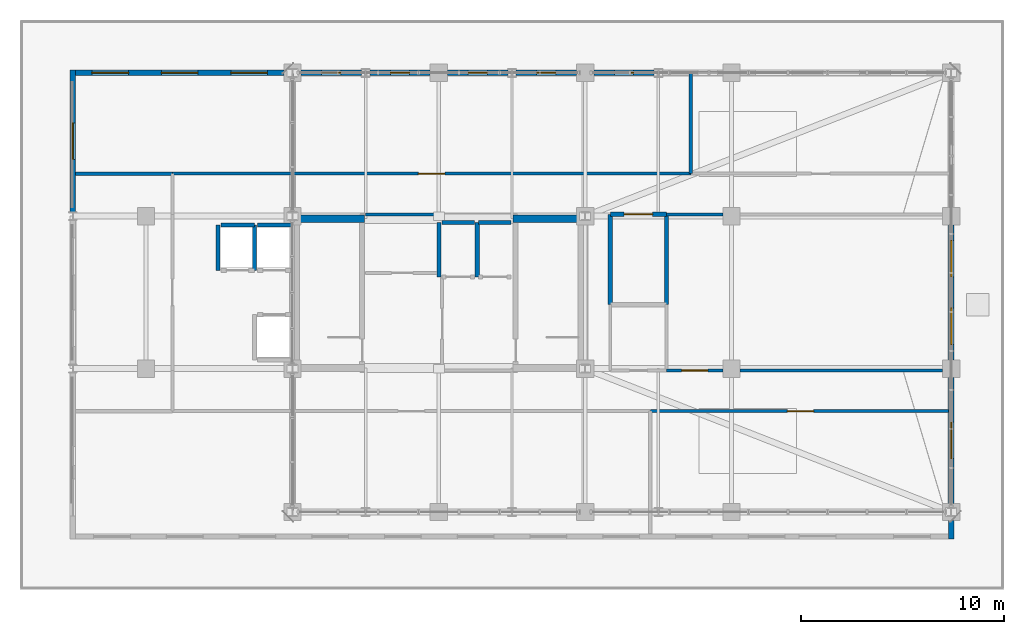
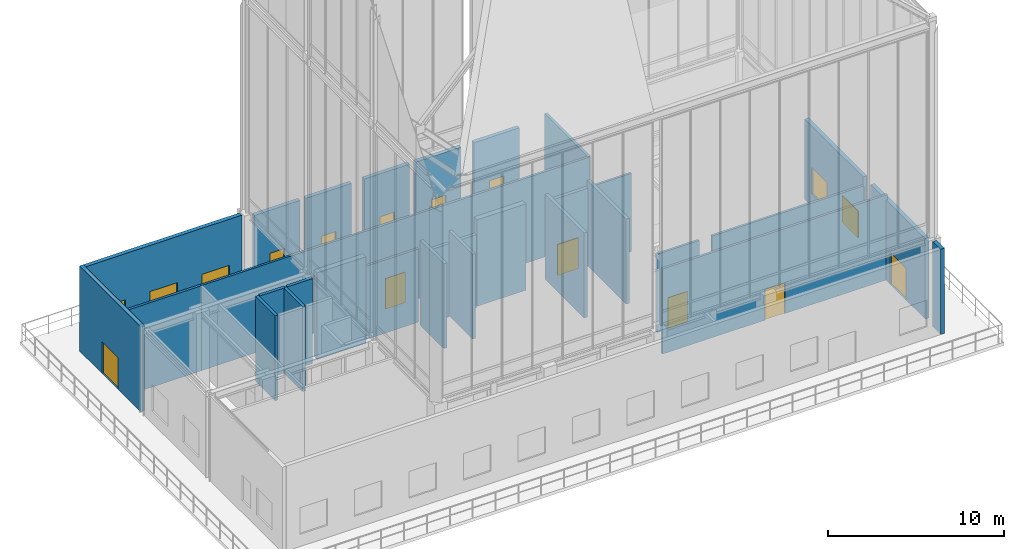
# One storey, part 47 of 49: 31 walls, 10 windows, 6 doors, 16 openings.
"""IFC4 building model written with IfcOpenShell, lengths in metres."""

from ifc_helpers import new_model, si_unit, direction, frame, frame_2d, origin, place, context, subcontext, project, spatial, rectangle, extrude, material, layer, layer_set, type_object, element, fill, save


model = new_model("IFC4")

# Units and contexts
model_context = context("Model", 3, precision=1e-05, world=origin(), true_north=direction((0.0, 1.0)))
body_context = subcontext(model_context, "Body", "Model", "MODEL_VIEW")
ifc_project = project(units=[si_unit("LENGTHUNIT", "METRE"), si_unit("AREAUNIT", "SQUARE_METRE"), si_unit("VOLUMEUNIT", "CUBIC_METRE"), si_unit("PLANEANGLEUNIT", "RADIAN"), si_unit("MASSUNIT", "GRAM", prefix="KILO")], contexts=[model_context])

# Site, building, storey
site_placement = place(None, origin())
site = spatial("IfcSite", under=ifc_project, at=site_placement, CompositionType="ELEMENT")
building_placement = place(site_placement, origin())
building = spatial("IfcBuilding", under=site, at=building_placement, Name="Kaliganga Portal Commons", CompositionType="ELEMENT")
storey_placement = place(building_placement, frame((0.0, 0.0, 298.0)))
storey = spatial("IfcBuildingStorey", under=building, at=storey_placement, Name="L77", CompositionType="ELEMENT", Elevation=298.0)

# Walls
ifc_material_1 = material(Name="Concrete C50/60", Category="concrete")
ifc_layer_1 = layer(ifc_material_1, 0.35009765625)
ifc_layer_set_1 = layer_set([ifc_layer_1], Name="Concrete C50/60")
wall_type_1 = type_object("IfcWallType", Name="WL-CORE-350", PredefinedType="SHEAR", material=ifc_layer_set_1)
for number, where, z_axis, x_axis, name in (
    (1, (14.75, 36.02490234375, 0.0), (0.0, 0.0, 1.0), (1.0, 0.0, 0.0), "Core A N-West Shear Wall L77"),
    (2, (25.25, 36.02490234375, 0.0), (0.0, 0.0, 1.0), (1.0, 0.0, 0.0), "Core A N-East Shear Wall L77"),
):
    element("IfcWall", number, at=place(storey_placement, frame(where, z_axis=z_axis, x_axis=x_axis)), inside=storey, type_object=wall_type_1, Name=name, PredefinedType="SHEAR", context=body_context, shape_type="SweptSolid", body=[
        extrude(rectangle(XDim=3.199951171875, YDim=0.35009765625, at=frame_2d((1.60009765625, 0.0))), origin(), (0.0, 0.0, 1.0), 6.0),
    ])
ifc_material_2 = material(Name="Insulated Aluminium-Clad Spandrel Assembly", Category="aluminium")
ifc_layer_2 = layer(ifc_material_2, 0.260009765625)
ifc_layer_set_2 = layer_set([ifc_layer_2], Name="Insulated Aluminium-Clad Spandrel Assembly")
wall_type_2 = type_object("IfcWallType", Name="WL-EXT-SPAND-260", PredefinedType="STANDARD", material=ifc_layer_set_2)
wall_1_placement = place(storey_placement, frame((46.800048828125, 21.174072265625, 0.0), z_axis=(0.0, 0.0, 1.0), x_axis=(0.0, -1.0, 0.0)))
element("IfcWall", 3, at=wall_1_placement, inside=storey, type_object=wall_type_2, Name="Exterior Envelope Wall L77 P1-E01-S1", PredefinedType="STANDARD", context=body_context, shape_type="SweptSolid", body=[
    extrude(rectangle(XDim=0.904052734375, YDim=0.260009765625, at=frame_2d((0.4521484375, 0.0))), origin(), (0.0, 0.0, 1.0), 5.89990234375),
])

# Wall, opening, door
wall_2_placement = place(storey_placement, frame((46.800048828125, 28.22412109375, 0.0), z_axis=(0.0, 0.0, 1.0), x_axis=(0.0, -1.0, 0.0)))
wall_2 = element("IfcWall", 4, at=wall_2_placement, inside=storey, type_object=wall_type_2, Name="Exterior Envelope Wall L77 P1-E01-S2", PredefinedType="STANDARD", context=body_context, shape_type="SweptSolid", body=[
    extrude(rectangle(XDim=6.1982421875, YDim=0.260009765625, at=frame_2d((3.09912109375, 0.0))), origin(), (0.0, 0.0, 1.0), 5.580078125),
])
opening_1_placement = place(wall_2_placement, frame((2.198974609375, 0.0, 0.0)))
opening_1 = element("IfcOpeningElement", 5, at=opening_1_placement, cuts=wall_2, Name="Opening TD-01", PredefinedType="OPENING", context=body_context, shape_type="SweptSolid", body=[
    extrude(rectangle(XDim=1.800048828125, YDim=2.199951171875, at=frame_2d((0.89990234375, 1.10009765625))), frame((0.0, 0.14013671875, 0.0), z_axis=(0.0, -1.0, 0.0), x_axis=(1.0, 0.0, 0.0)), (0.0, 0.0, 1.0), 0.280029296875),
])
ifc_material_3 = material(Name="Anodized Aluminium and Laminated Safety Glass", Category="aluminium")
door_type_1 = type_object("IfcDoorType", Name="DR-TERR-1800", OperationType="DOUBLE_DOOR_SINGLE_SWING", PredefinedType="DOOR", material=ifc_material_3)
door_1_placement = place(opening_1_placement, origin())
door_1 = element("IfcDoor", 6, at=door_1_placement, inside=storey, type_object=door_type_1, Name="Lookout Deck Access Door OD-3", OperationType="DOUBLE_DOOR_SINGLE_SWING", OverallHeight=2.199951171875, OverallWidth=1.800048828125, PredefinedType="DOOR", context=body_context, shape_type="SweptSolid", body=[
    extrude(rectangle(XDim=1.800048828125, YDim=2.199951171875, at=frame_2d((0.89990234375, 1.10009765625))), frame((0.0, 0.02490234375, 0.0), z_axis=(0.0, -1.0, 0.0), x_axis=(1.0, 0.0, 0.0)), (0.0, 0.0, 1.0), 0.050048828125),
])
fill(opening_1, door_1)

# Wall, openings, windows
wall_3_placement = place(storey_placement, frame((46.800048828125, 35.72412109375, 0.0), z_axis=(0.0, 0.0, 1.0), x_axis=(0.0, -1.0, 0.0)))
wall_3 = element("IfcWall", 7, at=wall_3_placement, inside=storey, type_object=wall_type_2, Name="Exterior Envelope Wall L77 P1-E01-S3", PredefinedType="STANDARD", context=body_context, shape_type="SweptSolid", body=[
    extrude(rectangle(XDim=6.648193359375, YDim=0.260009765625, at=frame_2d((3.32421875, 0.0))), origin(), (0.0, 0.0, 1.0), 5.580078125),
])
opening_2_placement = place(wall_3_placement, frame((0.761962890625, 0.0, 0.85009765625)))
opening_2 = element("IfcOpeningElement", 8, at=opening_2_placement, cuts=wall_3, Name="Opening W-01", PredefinedType="OPENING", context=body_context, shape_type="SweptSolid", body=[
    extrude(rectangle(XDim=1.800048828125, YDim=1.85009765625, at=frame_2d((0.89990234375, 0.925048828125))), frame((0.0, 0.14013671875, 0.0), z_axis=(0.0, -1.0, 0.0), x_axis=(1.0, 0.0, 0.0)), (0.0, 0.0, 1.0), 0.280029296875),
])
opening_3_placement = place(wall_3_placement, frame((4.0859375, 0.0, 0.85009765625)))
opening_3 = element("IfcOpeningElement", 9, at=opening_3_placement, cuts=wall_3, Name="Opening W-01", PredefinedType="OPENING", context=body_context, shape_type="SweptSolid", body=[
    extrude(rectangle(XDim=1.800048828125, YDim=1.85009765625, at=frame_2d((0.89990234375, 0.925048828125))), frame((0.0, 0.14013671875, 0.0), z_axis=(0.0, -1.0, 0.0), x_axis=(1.0, 0.0, 0.0)), (0.0, 0.0, 1.0), 0.280029296875),
])
ifc_material_4 = material(Name="Thermally Broken Aluminium and Low-E Double Glazing", Category="aluminium")
window_type_1 = type_object("IfcWindowType", Name="WIN-STD-1800", PartitioningType="DOUBLE_PANEL_VERTICAL", PredefinedType="WINDOW", material=ifc_material_4)
window_1_placement = place(opening_2_placement, origin())
window_1 = element("IfcWindow", 10, at=window_1_placement, inside=storey, type_object=window_type_1, Name="Facade Window L77-P1E01S3-00", OverallHeight=1.85009765625, OverallWidth=1.800048828125, PartitioningType="SINGLE_PANEL", PredefinedType="WINDOW", context=body_context, shape_type="SweptSolid", body=[
    extrude(rectangle(XDim=1.800048828125, YDim=1.85009765625, at=frame_2d((0.89990234375, 0.925048828125))), frame((0.0, 0.030029296875, 0.0), z_axis=(0.0, -1.0, 0.0), x_axis=(1.0, 0.0, 0.0)), (0.0, 0.0, 1.0), 0.06005859375),
])
fill(opening_2, window_1)
window_2_placement = place(opening_3_placement, origin())
window_2 = element("IfcWindow", 11, at=window_2_placement, inside=storey, type_object=window_type_1, Name="Facade Window L77-P1E01S3-01", OverallHeight=1.85009765625, OverallWidth=1.800048828125, PartitioningType="SINGLE_PANEL", PredefinedType="WINDOW", context=body_context, shape_type="SweptSolid", body=[
    extrude(rectangle(XDim=1.800048828125, YDim=1.85009765625, at=frame_2d((0.89990234375, 0.925048828125))), frame((0.0, 0.030029296875, 0.0), z_axis=(0.0, -1.0, 0.0), x_axis=(1.0, 0.0, 0.0)), (0.0, 0.0, 1.0), 0.06005859375),
])
fill(opening_3, window_2)

# Wall, opening, window
wall_4_placement = place(storey_placement, frame((29.22607421875, 43.199951171875, 0.0), z_axis=(0.0, 0.0, 1.0), x_axis=(1.0, 0.0, 0.0)))
wall_4 = element("IfcWall", 12, at=wall_4_placement, inside=storey, type_object=wall_type_2, Name="Exterior Envelope Wall L77 P1-E02-S3", PredefinedType="STANDARD", context=body_context, shape_type="SweptSolid", body=[
    extrude(rectangle(XDim=2.969970703125, YDim=0.260009765625, at=frame_2d((1.48486328125, 0.0))), origin(), (0.0, 0.0, 1.0), 5.580078125),
])
opening_4_placement = place(wall_4_placement, frame((1.010009765625, 0.0, 0.85009765625)))
opening_4 = element("IfcOpeningElement", 13, at=opening_4_placement, cuts=wall_4, Name="Opening W-04", PredefinedType="OPENING", context=body_context, shape_type="SweptSolid", body=[
    extrude(rectangle(XDim=0.949951171875, YDim=1.75, at=frame_2d((0.47509765625, 0.875))), frame((0.0, 0.14013671875, 0.0), z_axis=(0.0, -1.0, 0.0), x_axis=(1.0, 0.0, 0.0)), (0.0, 0.0, 1.0), 0.280029296875),
])
window_type_2 = type_object("IfcWindowType", Name="WIN-NARROW-950", PartitioningType="SINGLE_PANEL", PredefinedType="WINDOW", material=ifc_material_4)
window_3_placement = place(opening_4_placement, origin())
window_3 = element("IfcWindow", 14, at=window_3_placement, inside=storey, type_object=window_type_2, Name="Facade Window L77-P1E02S3-00", OverallHeight=1.75, OverallWidth=0.949951171875, PartitioningType="SINGLE_PANEL", PredefinedType="WINDOW", context=body_context, shape_type="SweptSolid", body=[
    extrude(rectangle(XDim=0.949951171875, YDim=1.75, at=frame_2d((0.47509765625, 0.875))), frame((0.0, 0.030029296875, 0.0), z_axis=(0.0, -1.0, 0.0), x_axis=(1.0, 0.0, 0.0)), (0.0, 0.0, 1.0), 0.06005859375),
])
fill(opening_4, window_3)

wall_5_placement = place(storey_placement, frame((25.404052734375, 43.199951171875, 0.0), z_axis=(0.0, 0.0, 1.0), x_axis=(1.0, 0.0, 0.0)))
wall_5 = element("IfcWall", 15, at=wall_5_placement, inside=storey, type_object=wall_type_2, Name="Exterior Envelope Wall L77 P1-E02-S4", PredefinedType="STANDARD", context=body_context, shape_type="SweptSolid", body=[
    extrude(rectangle(XDim=2.969970703125, YDim=0.260009765625, at=frame_2d((1.48486328125, 0.0))), origin(), (0.0, 0.0, 1.0), 5.580078125),
])
opening_5_placement = place(wall_5_placement, frame((1.010009765625, 0.0, 0.85009765625)))
opening_5 = element("IfcOpeningElement", 16, at=opening_5_placement, cuts=wall_5, Name="Opening W-04", PredefinedType="OPENING", context=body_context, shape_type="SweptSolid", body=[
    extrude(rectangle(XDim=0.949951171875, YDim=1.75, at=frame_2d((0.47509765625, 0.875))), frame((0.0, 0.14013671875, 0.0), z_axis=(0.0, -1.0, 0.0), x_axis=(1.0, 0.0, 0.0)), (0.0, 0.0, 1.0), 0.280029296875),
])
window_4_placement = place(opening_5_placement, origin())
window_4 = element("IfcWindow", 17, at=window_4_placement, inside=storey, type_object=window_type_2, Name="Facade Window L77-P1E02S4-00", OverallHeight=1.75, OverallWidth=0.949951171875, PartitioningType="SINGLE_PANEL", PredefinedType="WINDOW", context=body_context, shape_type="SweptSolid", body=[
    extrude(rectangle(XDim=0.949951171875, YDim=1.75, at=frame_2d((0.47509765625, 0.875))), frame((0.0, 0.030029296875, 0.0), z_axis=(0.0, -1.0, 0.0), x_axis=(1.0, 0.0, 0.0)), (0.0, 0.0, 1.0), 0.06005859375),
])
fill(opening_5, window_4)

wall_6_placement = place(storey_placement, frame((22.02587890625, 43.199951171875, 0.0), z_axis=(0.0, 0.0, 1.0), x_axis=(1.0, 0.0, 0.0)))
wall_6 = element("IfcWall", 18, at=wall_6_placement, inside=storey, type_object=wall_type_2, Name="Exterior Envelope Wall L77 P1-E02-S5", PredefinedType="STANDARD", context=body_context, shape_type="SweptSolid", body=[
    extrude(rectangle(XDim=2.97021484375, YDim=0.260009765625, at=frame_2d((1.485107421875, 0.0))), origin(), (0.0, 0.0, 1.0), 5.580078125),
])
opening_6_placement = place(wall_6_placement, frame((1.010009765625, 0.0, 0.85009765625)))
opening_6 = element("IfcOpeningElement", 19, at=opening_6_placement, cuts=wall_6, Name="Opening W-04", PredefinedType="OPENING", context=body_context, shape_type="SweptSolid", body=[
    extrude(rectangle(XDim=0.949951171875, YDim=1.75, at=frame_2d((0.47509765625, 0.875))), frame((0.0, 0.14013671875, 0.0), z_axis=(0.0, -1.0, 0.0), x_axis=(1.0, 0.0, 0.0)), (0.0, 0.0, 1.0), 0.280029296875),
])
window_5_placement = place(opening_6_placement, origin())
window_5 = element("IfcWindow", 20, at=window_5_placement, inside=storey, type_object=window_type_2, Name="Facade Window L77-P1E02S5-00", OverallHeight=1.75, OverallWidth=0.949951171875, PartitioningType="SINGLE_PANEL", PredefinedType="WINDOW", context=body_context, shape_type="SweptSolid", body=[
    extrude(rectangle(XDim=0.949951171875, YDim=1.75, at=frame_2d((0.47509765625, 0.875))), frame((0.0, 0.030029296875, 0.0), z_axis=(0.0, -1.0, 0.0), x_axis=(1.0, 0.0, 0.0)), (0.0, 0.0, 1.0), 0.06005859375),
])
fill(opening_6, window_5)

wall_7_placement = place(storey_placement, frame((18.2041015625, 43.199951171875, 0.0), z_axis=(0.0, 0.0, 1.0), x_axis=(1.0, 0.0, 0.0)))
wall_7 = element("IfcWall", 21, at=wall_7_placement, inside=storey, type_object=wall_type_2, Name="Exterior Envelope Wall L77 P1-E02-S6", PredefinedType="STANDARD", context=body_context, shape_type="SweptSolid", body=[
    extrude(rectangle(XDim=2.969970703125, YDim=0.260009765625, at=frame_2d((1.48486328125, 0.0))), origin(), (0.0, 0.0, 1.0), 5.580078125),
])
opening_7_placement = place(wall_7_placement, frame((1.010009765625, 0.0, 0.85009765625)))
opening_7 = element("IfcOpeningElement", 22, at=opening_7_placement, cuts=wall_7, Name="Opening W-04", PredefinedType="OPENING", context=body_context, shape_type="SweptSolid", body=[
    extrude(rectangle(XDim=0.949951171875, YDim=1.75, at=frame_2d((0.47509765625, 0.875))), frame((0.0, 0.14013671875, 0.0), z_axis=(0.0, -1.0, 0.0), x_axis=(1.0, 0.0, 0.0)), (0.0, 0.0, 1.0), 0.280029296875),
])
window_6_placement = place(opening_7_placement, origin())
window_6 = element("IfcWindow", 23, at=window_6_placement, inside=storey, type_object=window_type_2, Name="Facade Window L77-P1E02S6-00", OverallHeight=1.75, OverallWidth=0.949951171875, PartitioningType="SINGLE_PANEL", PredefinedType="WINDOW", context=body_context, shape_type="SweptSolid", body=[
    extrude(rectangle(XDim=0.949951171875, YDim=1.75, at=frame_2d((0.47509765625, 0.875))), frame((0.0, 0.030029296875, 0.0), z_axis=(0.0, -1.0, 0.0), x_axis=(1.0, 0.0, 0.0)), (0.0, 0.0, 1.0), 0.06005859375),
])
fill(opening_7, window_6)

wall_8_placement = place(storey_placement, frame((14.825927734375, 43.199951171875, 0.0), z_axis=(0.0, 0.0, 1.0), x_axis=(1.0, 0.0, 0.0)))
wall_8 = element("IfcWall", 24, at=wall_8_placement, inside=storey, type_object=wall_type_2, Name="Exterior Envelope Wall L77 P1-E02-S7", PredefinedType="STANDARD", context=body_context, shape_type="SweptSolid", body=[
    extrude(rectangle(XDim=2.969970703125, YDim=0.260009765625, at=frame_2d((1.48486328125, 0.0))), origin(), (0.0, 0.0, 1.0), 5.580078125),
])
opening_8_placement = place(wall_8_placement, frame((1.010009765625, 0.0, 0.85009765625)))
opening_8 = element("IfcOpeningElement", 25, at=opening_8_placement, cuts=wall_8, Name="Opening W-04", PredefinedType="OPENING", context=body_context, shape_type="SweptSolid", body=[
    extrude(rectangle(XDim=0.949951171875, YDim=1.75, at=frame_2d((0.47509765625, 0.875))), frame((0.0, 0.14013671875, 0.0), z_axis=(0.0, -1.0, 0.0), x_axis=(1.0, 0.0, 0.0)), (0.0, 0.0, 1.0), 0.280029296875),
])
window_7_placement = place(opening_8_placement, origin())
window_7 = element("IfcWindow", 26, at=window_7_placement, inside=storey, type_object=window_type_2, Name="Facade Window L77-P1E02S7-00", OverallHeight=1.75, OverallWidth=0.949951171875, PartitioningType="SINGLE_PANEL", PredefinedType="WINDOW", context=body_context, shape_type="SweptSolid", body=[
    extrude(rectangle(XDim=0.949951171875, YDim=1.75, at=frame_2d((0.47509765625, 0.875))), frame((0.0, 0.030029296875, 0.0), z_axis=(0.0, -1.0, 0.0), x_axis=(1.0, 0.0, 0.0)), (0.0, 0.0, 1.0), 0.06005859375),
])
fill(opening_8, window_7)

# Wall, openings, windows
wall_9_placement = place(storey_placement, frame((3.735107421875, 43.199951171875, 0.0), z_axis=(0.0, 0.0, 1.0), x_axis=(1.0, 0.0, 0.0)))
wall_9 = element("IfcWall", 27, at=wall_9_placement, inside=storey, type_object=wall_type_2, Name="Exterior Envelope Wall L77 P1-E02-S8", PredefinedType="STANDARD", context=body_context, shape_type="SweptSolid", body=[
    extrude(rectangle(XDim=10.239013671875, YDim=0.260009765625, at=frame_2d((5.11962890625, 0.0))), origin(), (0.0, 0.0, 1.0), 5.89990234375),
])
opening_9_placement = place(wall_9_placement, frame((0.806396484375, 0.0, 0.85009765625)))
opening_9 = element("IfcOpeningElement", 28, at=opening_9_placement, cuts=wall_9, Name="Opening W-01", PredefinedType="OPENING", context=body_context, shape_type="SweptSolid", body=[
    extrude(rectangle(XDim=1.800048828125, YDim=1.85009765625, at=frame_2d((0.89990234375, 0.925048828125))), frame((0.0, 0.14013671875, 0.0), z_axis=(0.0, -1.0, 0.0), x_axis=(1.0, 0.0, 0.0)), (0.0, 0.0, 1.0), 0.280029296875),
])
opening_10_placement = place(wall_9_placement, frame((4.219482421875, 0.0, 0.85009765625)))
opening_10 = element("IfcOpeningElement", 29, at=opening_10_placement, cuts=wall_9, Name="Opening W-01", PredefinedType="OPENING", context=body_context, shape_type="SweptSolid", body=[
    extrude(rectangle(XDim=1.800048828125, YDim=1.85009765625, at=frame_2d((0.89990234375, 0.925048828125))), frame((0.0, 0.14013671875, 0.0), z_axis=(0.0, -1.0, 0.0), x_axis=(1.0, 0.0, 0.0)), (0.0, 0.0, 1.0), 0.280029296875),
])
opening_11_placement = place(wall_9_placement, frame((7.632568359375, 0.0, 0.85009765625)))
opening_11 = element("IfcOpeningElement", 30, at=opening_11_placement, cuts=wall_9, Name="Opening W-01", PredefinedType="OPENING", context=body_context, shape_type="SweptSolid", body=[
    extrude(rectangle(XDim=1.800048828125, YDim=1.85009765625, at=frame_2d((0.89990234375, 0.925048828125))), frame((0.0, 0.14013671875, 0.0), z_axis=(0.0, -1.0, 0.0), x_axis=(1.0, 0.0, 0.0)), (0.0, 0.0, 1.0), 0.280029296875),
])
window_8_placement = place(opening_9_placement, origin())
window_8 = element("IfcWindow", 31, at=window_8_placement, inside=storey, type_object=window_type_1, Name="Facade Window L77-P1E02S8-00", OverallHeight=1.85009765625, OverallWidth=1.800048828125, PartitioningType="SINGLE_PANEL", PredefinedType="WINDOW", context=body_context, shape_type="SweptSolid", body=[
    extrude(rectangle(XDim=1.800048828125, YDim=1.85009765625, at=frame_2d((0.89990234375, 0.925048828125))), frame((0.0, 0.030029296875, 0.0), z_axis=(0.0, -1.0, 0.0), x_axis=(1.0, 0.0, 0.0)), (0.0, 0.0, 1.0), 0.06005859375),
])
fill(opening_9, window_8)
window_9_placement = place(opening_10_placement, origin())
window_9 = element("IfcWindow", 32, at=window_9_placement, inside=storey, type_object=window_type_1, Name="Facade Window L77-P1E02S8-01", OverallHeight=1.85009765625, OverallWidth=1.800048828125, PartitioningType="SINGLE_PANEL", PredefinedType="WINDOW", context=body_context, shape_type="SweptSolid", body=[
    extrude(rectangle(XDim=1.800048828125, YDim=1.85009765625, at=frame_2d((0.89990234375, 0.925048828125))), frame((0.0, 0.030029296875, 0.0), z_axis=(0.0, -1.0, 0.0), x_axis=(1.0, 0.0, 0.0)), (0.0, 0.0, 1.0), 0.06005859375),
])
fill(opening_10, window_9)
window_10_placement = place(opening_11_placement, origin())
window_10 = element("IfcWindow", 33, at=window_10_placement, inside=storey, type_object=window_type_1, Name="Facade Window L77-P1E02S8-02", OverallHeight=1.85009765625, OverallWidth=1.800048828125, PartitioningType="SINGLE_PANEL", PredefinedType="WINDOW", context=body_context, shape_type="SweptSolid", body=[
    extrude(rectangle(XDim=1.800048828125, YDim=1.85009765625, at=frame_2d((0.89990234375, 0.925048828125))), frame((0.0, 0.030029296875, 0.0), z_axis=(0.0, -1.0, 0.0), x_axis=(1.0, 0.0, 0.0)), (0.0, 0.0, 1.0), 0.06005859375),
])
fill(opening_11, window_10)

# Wall, opening, door
wall_10_placement = place(storey_placement, frame((3.60009765625, 36.362060546875, 0.0), z_axis=(0.0, 0.0, 1.0), x_axis=(0.0, 1.0, 0.0)))
wall_10 = element("IfcWall", 34, at=wall_10_placement, inside=storey, type_object=wall_type_2, Name="Exterior Envelope Wall L77 P1-E03-S1", PredefinedType="STANDARD", context=body_context, shape_type="SweptSolid", body=[
    extrude(rectangle(XDim=6.968017578125, YDim=0.260009765625, at=frame_2d((3.48388671875, 0.0))), origin(), (0.0, 0.0, 1.0), 5.89990234375),
])
opening_12_placement = place(wall_10_placement, frame((2.583984375, 0.0, 0.0)))
opening_12 = element("IfcOpeningElement", 35, at=opening_12_placement, cuts=wall_10, Name="Opening TD-01", PredefinedType="OPENING", context=body_context, shape_type="SweptSolid", body=[
    extrude(rectangle(XDim=1.800048828125, YDim=2.199951171875, at=frame_2d((0.89990234375, 1.10009765625))), frame((0.0, 0.14013671875, 0.0), z_axis=(0.0, -1.0, 0.0), x_axis=(1.0, 0.0, 0.0)), (0.0, 0.0, 1.0), 0.280029296875),
])
door_2_placement = place(opening_12_placement, origin())
door_2 = element("IfcDoor", 36, at=door_2_placement, inside=storey, type_object=door_type_1, Name="Lookout Deck Access Door OD-4", OperationType="DOUBLE_DOOR_SINGLE_SWING", OverallHeight=2.199951171875, OverallWidth=1.800048828125, PredefinedType="DOOR", context=body_context, shape_type="SweptSolid", body=[
    extrude(rectangle(XDim=1.800048828125, YDim=2.199951171875, at=frame_2d((0.89990234375, 1.10009765625))), frame((0.0, 0.02490234375, 0.0), z_axis=(0.0, -1.0, 0.0), x_axis=(1.0, 0.0, 0.0)), (0.0, 0.0, 1.0), 0.050048828125),
])
fill(opening_12, door_2)

ifc_material_5 = material(Name="Fire-Rated Gypsum Board on Steel Stud", Category="steel")
ifc_layer_3 = layer(ifc_material_5, 0.14990234375)
ifc_layer_set_3 = layer_set([ifc_layer_3], Name="Fire-Rated Gypsum Board on Steel Stud")
wall_type_3 = type_object("IfcWallType", Name="WL-PART-CORR-150", PredefinedType="PARTITIONING", material=ifc_layer_set_3)
wall_11_placement = place(storey_placement, frame((8.5, 38.239990234375, 0.0), z_axis=(0.0, 0.0, 1.0), x_axis=(1.0, 0.0, 0.0)))
wall_11 = element("IfcWall", 37, at=wall_11_placement, inside=storey, type_object=wall_type_3, Name="Interior Partition L77-001", PredefinedType="PARTITIONING", context=body_context, shape_type="SweptSolid", body=[
    extrude(rectangle(XDim=25.5, YDim=0.14990234375, at=frame_2d((12.75, 0.0))), origin(), (0.0, 0.0, 1.0), 5.89990234375),
])
opening_13_placement = place(wall_11_placement, frame((12.10009765625, 0.0, 0.0)))
opening_13 = element("IfcOpeningElement", 38, at=opening_13_placement, cuts=wall_11, Name="Opening RD-03", PredefinedType="OPENING", context=body_context, shape_type="SweptSolid", body=[
    extrude(rectangle(XDim=1.300048828125, YDim=2.1201171875, at=frame_2d((0.64990234375, 1.06005859375))), frame((0.0, 0.0849609375, 0.0), z_axis=(0.0, -1.0, 0.0), x_axis=(1.0, 0.0, 0.0)), (0.0, 0.0, 1.0), 0.169921875),
])
ifc_material_6 = material(Name="Glazed Timber Seminar Vision Door", Category="wood")
door_type_2 = type_object("IfcDoorType", Name="DR-STUDY-1300", OperationType="DOUBLE_DOOR_SINGLE_SWING", PredefinedType="DOOR", material=ifc_material_6)
door_3_placement = place(opening_13_placement, origin())
door_3 = element("IfcDoor", 39, at=door_3_placement, inside=storey, type_object=door_type_2, Name="Interior Door L77-OBS_N", OperationType="DOUBLE_DOOR_SINGLE_SWING", OverallHeight=2.1201171875, OverallWidth=1.300048828125, PredefinedType="DOOR", context=body_context, shape_type="SweptSolid", body=[
    extrude(rectangle(XDim=1.300048828125, YDim=2.1201171875, at=frame_2d((0.64990234375, 1.06005859375))), frame((0.0, 0.02490234375, 0.0), z_axis=(0.0, -1.0, 0.0), x_axis=(1.0, 0.0, 0.0)), (0.0, 0.0, 1.0), 0.050048828125),
])
fill(opening_13, door_3)

wall_12_placement = place(storey_placement, frame((32.0, 26.56005859375, 0.0), z_axis=(0.0, 0.0, 1.0), x_axis=(1.0, 0.0, 0.0)))
wall_12 = element("IfcWall", 40, at=wall_12_placement, inside=storey, type_object=wall_type_3, Name="Interior Partition L77-003", PredefinedType="PARTITIONING", context=body_context, shape_type="SweptSolid", body=[
    extrude(rectangle(XDim=14.780029296875, YDim=0.14990234375, at=frame_2d((7.39013671875, 0.0))), origin(), (0.0, 0.0, 1.0), 5.89990234375),
])
opening_14_placement = place(wall_12_placement, frame((6.739990234375, 0.0, 0.0)))
opening_14 = element("IfcOpeningElement", 41, at=opening_14_placement, cuts=wall_12, Name="Opening RD-03", PredefinedType="OPENING", context=body_context, shape_type="SweptSolid", body=[
    extrude(rectangle(XDim=1.300048828125, YDim=2.1201171875, at=frame_2d((0.64990234375, 1.06005859375))), frame((0.0, 0.0849609375, 0.0), z_axis=(0.0, -1.0, 0.0), x_axis=(1.0, 0.0, 0.0)), (0.0, 0.0, 1.0), 0.169921875),
])
door_4_placement = place(opening_14_placement, origin())
door_4 = element("IfcDoor", 42, at=door_4_placement, inside=storey, type_object=door_type_2, Name="Interior Door L77-EXH_E", OperationType="DOUBLE_DOOR_SINGLE_SWING", OverallHeight=2.1201171875, OverallWidth=1.300048828125, PredefinedType="DOOR", context=body_context, shape_type="SweptSolid", body=[
    extrude(rectangle(XDim=1.300048828125, YDim=2.1201171875, at=frame_2d((0.64990234375, 1.06005859375))), frame((0.0, 0.02490234375, 0.0), z_axis=(0.0, -1.0, 0.0), x_axis=(1.0, 0.0, 0.0)), (0.0, 0.0, 1.0), 0.050048828125),
])
fill(opening_14, door_4)

wall_13_placement = place(storey_placement, frame((32.800048828125, 28.56005859375, 0.0), z_axis=(0.0, 0.0, 1.0), x_axis=(1.0, 0.0, 0.0)))
wall_13 = element("IfcWall", 43, at=wall_13_placement, inside=storey, type_object=wall_type_3, Name="Interior Partition L77-004", PredefinedType="PARTITIONING", context=body_context, shape_type="SweptSolid", body=[
    extrude(rectangle(XDim=2.77490234375, YDim=0.14990234375, at=frame_2d((1.387451171875, 0.0))), origin(), (0.0, 0.0, 1.0), 5.429931640625),
])
opening_15_placement = place(wall_13_placement, frame((0.737548828125, 0.0, 0.0)))
opening_15 = element("IfcOpeningElement", 44, at=opening_15_placement, cuts=wall_13, Name="Opening RD-03", PredefinedType="OPENING", context=body_context, shape_type="SweptSolid", body=[
    extrude(rectangle(XDim=1.300048828125, YDim=2.1201171875, at=frame_2d((0.64990234375, 1.06005859375))), frame((0.0, 0.0849609375, 0.0), z_axis=(0.0, -1.0, 0.0), x_axis=(1.0, 0.0, 0.0)), (0.0, 0.0, 1.0), 0.169921875),
])
door_5_placement = place(opening_15_placement, origin())
door_5 = element("IfcDoor", 45, at=door_5_placement, inside=storey, type_object=door_type_2, Name="Interior Door L77-OBS_E2", OperationType="DOUBLE_DOOR_SINGLE_SWING", OverallHeight=2.1201171875, OverallWidth=1.300048828125, PredefinedType="DOOR", context=body_context, shape_type="SweptSolid", body=[
    extrude(rectangle(XDim=1.300048828125, YDim=2.1201171875, at=frame_2d((0.64990234375, 1.06005859375))), frame((0.0, 0.02490234375, 0.0), z_axis=(0.0, -1.0, 0.0), x_axis=(1.0, 0.0, 0.0)), (0.0, 0.0, 1.0), 0.050048828125),
])
fill(opening_15, door_5)

# Walls
wall_14_placement = place(storey_placement, frame((36.425048828125, 28.56005859375, 0.0), z_axis=(0.0, 0.0, 1.0), x_axis=(1.0, 0.0, 0.0)))
element("IfcWall", 46, at=wall_14_placement, inside=storey, type_object=wall_type_3, Name="Interior Partition L77-005", PredefinedType="PARTITIONING", context=body_context, shape_type="SweptSolid", body=[
    extrude(rectangle(XDim=9.949951171875, YDim=0.14990234375, at=frame_2d((4.97509765625, 0.0))), origin(), (0.0, 0.0, 1.0), 5.429931640625),
])
wall_15_placement = place(storey_placement, frame((32.800048828125, 36.239990234375, 0.0), z_axis=(0.0, 0.0, 1.0), x_axis=(1.0, 0.0, 0.0)))
element("IfcWall", 47, at=wall_15_placement, inside=storey, type_object=wall_type_3, Name="Interior Partition L77-006", PredefinedType="PARTITIONING", context=body_context, shape_type="SweptSolid", body=[
    extrude(rectangle(XDim=2.77490234375, YDim=0.14990234375, at=frame_2d((1.387451171875, 0.0))), origin(), (0.0, 0.0, 1.0), 5.429931640625),
])
wall_16_placement = place(storey_placement, frame((18.0, 36.239990234375, 0.0), z_axis=(0.0, 0.0, 1.0), x_axis=(1.0, 0.0, 0.0)))
element("IfcWall", 48, at=wall_16_placement, inside=storey, type_object=wall_type_3, Name="Interior Partition L77-011", PredefinedType="PARTITIONING", context=body_context, shape_type="SweptSolid", body=[
    extrude(rectangle(XDim=3.60009765625, YDim=0.14990234375, at=frame_2d((1.800048828125, 0.0))), origin(), (0.0, 0.0, 1.0), 5.080078125),
])

# Wall, opening, door
ifc_material_7 = material(Name="Lightweight blockwork masonry", Category="masonry")
ifc_layer_4 = layer(ifc_material_7, 0.215087890625)
ifc_layer_set_4 = layer_set([ifc_layer_4], Name="Lightweight blockwork masonry")
wall_type_4 = type_object("IfcWallType", Name="WL-PART-PLANT-215", PredefinedType="PARTITIONING", material=ifc_layer_set_4)
wall_17_placement = place(storey_placement, frame((30.0400390625, 36.239990234375, 0.0), z_axis=(0.0, 0.0, 1.0), x_axis=(1.0, 0.0, 0.0)))
wall_17 = element("IfcWall", 49, at=wall_17_placement, inside=storey, type_object=wall_type_4, Name="Interior Partition L77-013", PredefinedType="PARTITIONING", context=body_context, shape_type="SweptSolid", body=[
    extrude(rectangle(XDim=2.760009765625, YDim=0.215087890625, at=frame_2d((1.3798828125, 0.0))), origin(), (0.0, 0.0, 1.0), 5.429931640625),
])
opening_16_placement = place(wall_17_placement, frame((0.679931640625, 0.0, 0.0)))
opening_16 = element("IfcOpeningElement", 50, at=opening_16_placement, cuts=wall_17, Name="Opening PD-01", PredefinedType="OPENING", context=body_context, shape_type="SweptSolid", body=[
    extrude(rectangle(XDim=1.39990234375, YDim=2.14990234375, at=frame_2d((0.699951171875, 1.074951171875))), frame((0.0, 0.11767578125, 0.0), z_axis=(0.0, -1.0, 0.0), x_axis=(1.0, 0.0, 0.0)), (0.0, 0.0, 1.0), 0.235107421875),
])
ifc_material_8 = material(Name="Heavy-Duty Steel Acoustic Louvre Fire Door", Category="steel")
door_type_3 = type_object("IfcDoorType", Name="DR-PLANT-1400", OperationType="DOUBLE_DOOR_SINGLE_SWING", PredefinedType="DOOR", material=ifc_material_8)
door_6_placement = place(opening_16_placement, origin())
door_6 = element("IfcDoor", 51, at=door_6_placement, inside=storey, type_object=door_type_3, Name="Interior Door L77-OBS_FIRSTAID", OperationType="DOUBLE_DOOR_SINGLE_SWING", OverallHeight=2.14990234375, OverallWidth=1.39990234375, PredefinedType="DOOR", context=body_context, shape_type="SweptSolid", body=[
    extrude(rectangle(XDim=1.39990234375, YDim=2.14990234375, at=frame_2d((0.699951171875, 1.074951171875))), frame((0.0, 0.02490234375, 0.0), z_axis=(0.0, -1.0, 0.0), x_axis=(1.0, 0.0, 0.0)), (0.0, 0.0, 1.0), 0.050048828125),
])
fill(opening_16, door_6)

# Walls
for number, where, z_axis, x_axis, name in (
    (52, (30.0400390625, 31.800048828125, 0.0), (0.0, 0.0, 1.0), (0.0, 1.0, 0.0), "Interior Partition L77-021"),
    (53, (32.800048828125, 31.800048828125, 0.0), (0.0, 0.0, 1.0), (0.0, 1.0, 0.0), "Interior Partition L77-022"),
):
    element("IfcWall", number, at=place(storey_placement, frame(where, z_axis=z_axis, x_axis=x_axis)), inside=storey, type_object=wall_type_4, Name=name, PredefinedType="PARTITIONING", context=body_context, shape_type="SweptSolid", body=[
        extrude(rectangle(XDim=4.43994140625, YDim=0.215087890625, at=frame_2d((2.219970703125, 0.0))), origin(), (0.0, 0.0, 1.0), 5.89990234375),
    ])
ifc_material_9 = material(Name="Twin-Stud Acoustic Gypsum Partition", Category="gypsum")
ifc_layer_5 = layer(ifc_material_9, 0.1650390625)
ifc_layer_set_5 = layer_set([ifc_layer_5], Name="Twin-Stud Acoustic Gypsum Partition")
wall_type_5 = type_object("IfcWallType", Name="WL-PART-UNIT-165", PredefinedType="PARTITIONING", material=ifc_layer_set_5)
wall_18_placement = place(storey_placement, frame((34.0, 38.239990234375, 0.0), z_axis=(0.0, 0.0, 1.0), x_axis=(0.0, 1.0, 0.0)))
element("IfcWall", 54, at=wall_18_placement, inside=storey, type_object=wall_type_5, Name="Interior Partition L77-017", PredefinedType="PARTITIONING", context=body_context, shape_type="SweptSolid", body=[
    extrude(rectangle(XDim=4.93994140625, YDim=0.1650390625, at=frame_2d((2.469970703125, 0.0))), origin(), (0.0, 0.0, 1.0), 5.89990234375),
])
wall_19_placement = place(storey_placement, frame((3.73193359375, 38.239990234375, 0.0), z_axis=(0.0, 0.0, 1.0), x_axis=(1.0, 0.0, 0.0)))
element("IfcWall", 55, at=wall_19_placement, inside=storey, type_object=wall_type_5, Name="Interior Partition L77-019", PredefinedType="PARTITIONING", context=body_context, shape_type="SweptSolid", body=[
    extrude(rectangle(XDim=4.76806640625, YDim=0.1650390625, at=frame_2d((2.384033203125, 0.0))), origin(), (0.0, 0.0, 1.0), 5.89990234375),
])
ifc_material_10 = material(Name="Fire-Rated Shaftwall Masonry Assembly", Category="masonry")
ifc_layer_6 = layer(ifc_material_10, 0.199951171875)
ifc_layer_set_6 = layer_set([ifc_layer_6], Name="Fire-Rated Shaftwall Masonry Assembly")
wall_type_6 = type_object("IfcWallType", Name="WL-SHAFT-200", PredefinedType="PARTITIONING", material=ifc_layer_set_6)
wall_20_placement = place(storey_placement, frame((12.675048828125, 35.715087890625, 0.0), z_axis=(0.0, 0.0, 1.0), x_axis=(1.0, 0.0, 0.0)))
element("IfcWall", 56, at=wall_20_placement, inside=storey, type_object=wall_type_6, Name="Lift PL-A3 Hoistway Shaft Wall L77-N", PredefinedType="PARTITIONING", context=body_context, shape_type="SweptSolid", body=[
    extrude(rectangle(XDim=1.64990234375, YDim=0.199951171875, at=frame_2d((0.824951171875, 0.0))), origin(), (0.0, 0.0, 1.0), 5.89990234375),
])
wall_21_placement = place(storey_placement, frame((12.534912109375, 33.485107421875, 0.0), z_axis=(0.0, 0.0, 1.0), x_axis=(0.0, 1.0, 0.0)))
element("IfcWall", 57, at=wall_21_placement, inside=storey, type_object=wall_type_6, Name="Lift PL-A3 Hoistway Shaft Wall L77-W", PredefinedType="PARTITIONING", context=body_context, shape_type="SweptSolid", body=[
    extrude(rectangle(XDim=2.22998046875, YDim=0.199951171875, at=frame_2d((1.114990234375, 0.0))), origin(), (0.0, 0.0, 1.0), 5.89990234375),
])
wall_22_placement = place(storey_placement, frame((10.875, 35.715087890625, 0.0), z_axis=(0.0, 0.0, 1.0), x_axis=(1.0, 0.0, 0.0)))
element("IfcWall", 58, at=wall_22_placement, inside=storey, type_object=wall_type_6, Name="Lift PL-OBS Hoistway Shaft Wall L77-N", PredefinedType="PARTITIONING", context=body_context, shape_type="SweptSolid", body=[
    extrude(rectangle(XDim=1.64990234375, YDim=0.199951171875, at=frame_2d((0.824951171875, 0.0))), origin(), (0.0, 0.0, 1.0), 5.89990234375),
])
wall_23_placement = place(storey_placement, frame((10.735107421875, 33.485107421875, 0.0), z_axis=(0.0, 0.0, 1.0), x_axis=(0.0, 1.0, 0.0)))
element("IfcWall", 59, at=wall_23_placement, inside=storey, type_object=wall_type_6, Name="Lift PL-OBS Hoistway Shaft Wall L77-W", PredefinedType="PARTITIONING", context=body_context, shape_type="SweptSolid", body=[
    extrude(rectangle(XDim=2.22998046875, YDim=0.199951171875, at=frame_2d((1.114990234375, 0.0))), origin(), (0.0, 0.0, 1.0), 5.89990234375),
])
wall_24_placement = place(storey_placement, frame((21.75, 35.840087890625, 0.0), z_axis=(0.0, 0.0, 1.0), x_axis=(1.0, 0.0, 0.0)))
element("IfcWall", 60, at=wall_24_placement, inside=storey, type_object=wall_type_6, Name="Lift FFL-1 Hoistway Shaft Wall L77-N", PredefinedType="PARTITIONING", context=body_context, shape_type="SweptSolid", body=[
    extrude(rectangle(XDim=1.60009765625, YDim=0.199951171875, at=frame_2d((0.800048828125, 0.0))), origin(), (0.0, 0.0, 1.0), 5.080078125),
])
for number, where, z_axis, x_axis, name in (
    (61, (21.610107421875, 33.159912109375, 0.0), (0.0, 0.0, 1.0), (0.0, 1.0, 0.0), "Lift FFL-1 Hoistway Shaft Wall L77-W"),
    (62, (23.489990234375, 33.159912109375, 0.0), (0.0, 0.0, 1.0), (0.0, 1.0, 0.0), "Lift FFL-1 Hoistway Shaft Wall L77-E"),
):
    element("IfcWall", number, at=place(storey_placement, frame(where, z_axis=z_axis, x_axis=x_axis)), inside=storey, type_object=wall_type_6, Name=name, PredefinedType="PARTITIONING", context=body_context, shape_type="SweptSolid", body=[
        extrude(rectangle(XDim=2.68017578125, YDim=0.199951171875, at=frame_2d((1.340087890625, 0.0))), origin(), (0.0, 0.0, 1.0), 5.89990234375),
    ])
wall_25_placement = place(storey_placement, frame((23.550048828125, 35.840087890625, 0.0), z_axis=(0.0, 0.0, 1.0), x_axis=(1.0, 0.0, 0.0)))
element("IfcWall", 63, at=wall_25_placement, inside=storey, type_object=wall_type_6, Name="Lift FFL-2 Hoistway Shaft Wall L77-N", PredefinedType="PARTITIONING", context=body_context, shape_type="SweptSolid", body=[
    extrude(rectangle(XDim=1.599853515625, YDim=0.199951171875, at=frame_2d((0.7998046875, 0.0))), origin(), (0.0, 0.0, 1.0), 5.080078125),
])

save(model, "model.ifc")
